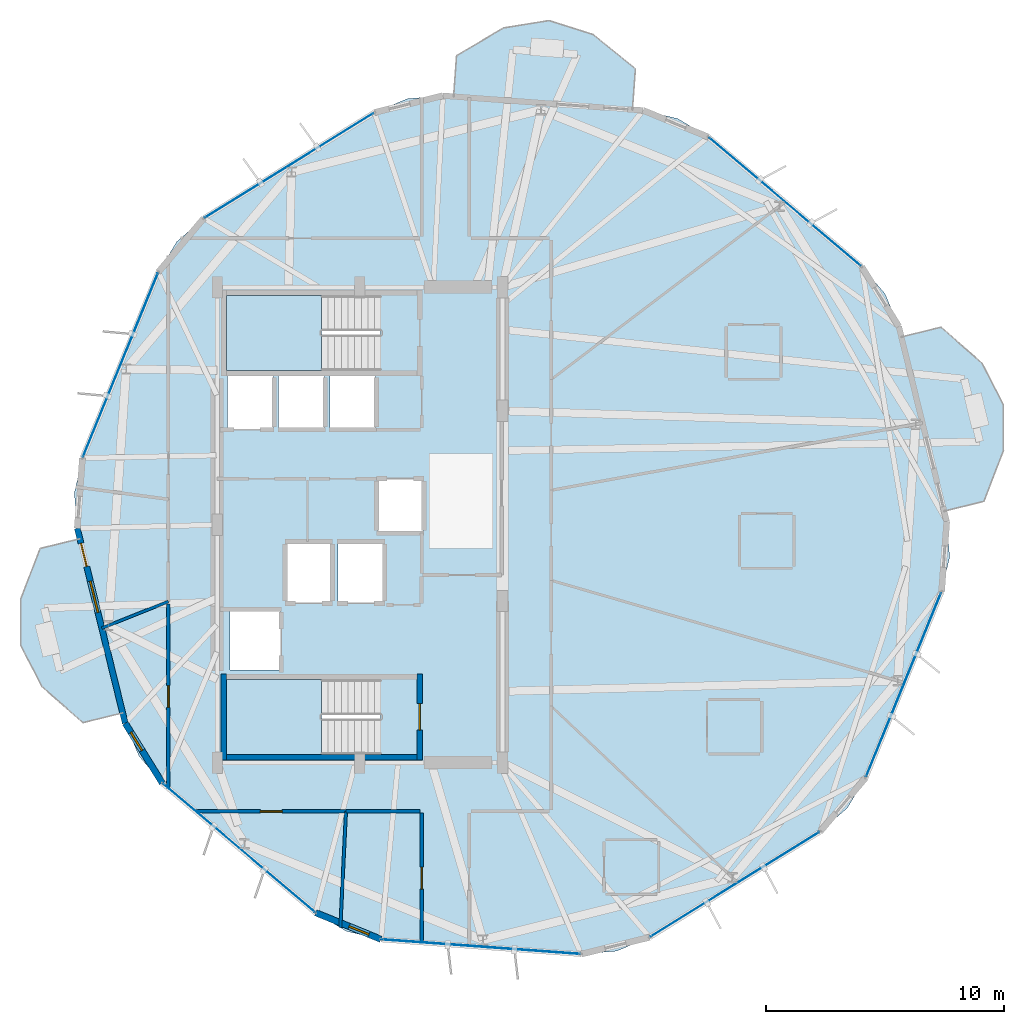
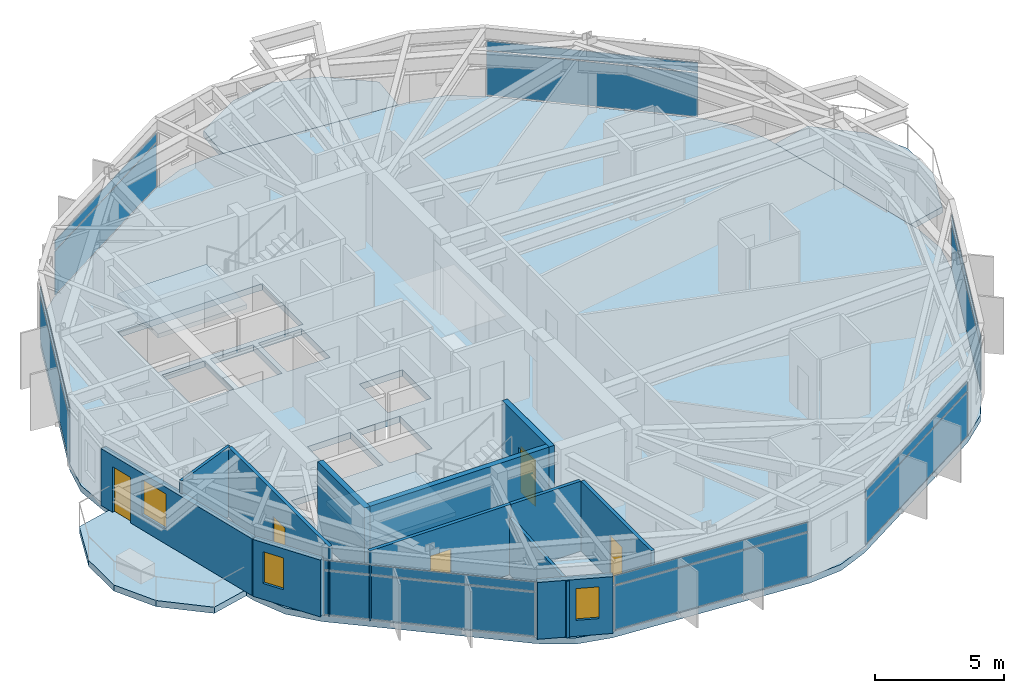
# One storey, part 14 of 21: 14 plates, 12 walls, 6 slabs, 5 doors, 3 windows, 8 openings, 9 elements without a shape of their own.
"""IFC4 building model written with IfcOpenShell, lengths in metres."""

from ifc_helpers import new_model, si_unit, direction, frame, frame_2d, origin, origin_2d, place, context, subcontext, project, spatial, polyline, rectangle, outline, extrude, material, layer, layer_set, type_object, element, fill, aggregate, save


model = new_model("IFC4")

# Units and contexts
model_context = context("Model", 3, precision=1e-05, world=origin(), true_north=direction((0.0, 1.0)))
body_context = subcontext(model_context, "Body", "Model", "MODEL_VIEW")
ifc_project = project(units=[si_unit("LENGTHUNIT", "METRE"), si_unit("AREAUNIT", "SQUARE_METRE"), si_unit("VOLUMEUNIT", "CUBIC_METRE"), si_unit("PLANEANGLEUNIT", "RADIAN"), si_unit("MASSUNIT", "GRAM", prefix="KILO")], contexts=[model_context])

# Site, building, storey
site_placement = place(None, origin())
site = spatial("IfcSite", under=ifc_project, at=site_placement, CompositionType="ELEMENT")
building_placement = place(site_placement, origin())
building = spatial("IfcBuilding", under=site, at=building_placement, Name="Soratama Intermodal Tower", CompositionType="ELEMENT")
storey_placement = place(building_placement, frame((0.0, 0.0, 153.39990234375)))
storey = spatial("IfcBuildingStorey", under=building, at=storey_placement, Name="L37", CompositionType="ELEMENT", Elevation=153.39990234375)

# Curtain wall, plates
ifc_material_1 = material(Name="Double-glazed aluminium curtain wall", Category="aluminium")
ifc_layer_1 = layer(ifc_material_1, 0.159912109375)
ifc_layer_set_1 = layer_set([ifc_layer_1], Name="Double-glazed aluminium curtain wall")
curtain_wall_type = type_object("IfcCurtainWallType", Name="CW-SYS-4", PredefinedType="NOTDEFINED", material=ifc_layer_set_1)
curtain_wall_1_placement = place(storey_placement, origin())
curtain_wall_1 = element("IfcCurtainWall", 1, at=curtain_wall_1_placement, inside=storey, type_object=curtain_wall_type, Name="L37 Faceted Curtain Wall F01", PredefinedType="NOTDEFINED")
ifc_material_2 = material(Name="Low-E laminated double glazing", Category="glass")
ifc_layer_2 = layer(ifc_material_2, 0.02392578125)
ifc_layer_set_2 = layer_set([ifc_layer_2], Name="Low-E laminated double glazing")
plate_type = type_object("IfcPlateType", Name="PT-CWP-4", PredefinedType="CURTAIN_PANEL", material=ifc_layer_set_2)
plate_1_placement = place(storey_placement, frame((56.481689453125, 38.586669921875, 0.06005859375), z_axis=(0.0, 0.0, 1.0), x_axis=(-0.763800023284, 0.645452960666, 0.0)))
plate_1 = element("IfcPlate", 2, at=plate_1_placement, type_object=plate_type, Name="CW-4 panel 1.1", PredefinedType="CURTAIN_PANEL", context=body_context, shape_type="SweptSolid", body=[
    extrude(rectangle(XDim=8.3203125, YDim=0.028076171875, at=origin_2d()), origin(), (0.0, 0.0, 1.0), 2.06005859375),
])
plate_2_placement = place(storey_placement, frame((56.481689453125, 38.586669921875, 2.18017578125), z_axis=(0.0, 0.0, 1.0), x_axis=(-0.763800023284, 0.645452960666, 0.0)))
plate_2 = element("IfcPlate", 3, at=plate_2_placement, type_object=plate_type, Name="CW-4 panel 1.2", PredefinedType="CURTAIN_PANEL", context=body_context, shape_type="SweptSolid", body=[
    extrude(rectangle(XDim=8.3203125, YDim=0.028076171875, at=origin_2d()), origin(), (0.0, 0.0, 1.0), 0.43896484375),
])
aggregate(curtain_wall_1, [plate_1, plate_2])

curtain_wall_2_placement = place(storey_placement, origin())
curtain_wall_2 = element("IfcCurtainWall", 4, at=curtain_wall_2_placement, inside=storey, type_object=curtain_wall_type, Name="L37 Faceted Curtain Wall F03", PredefinedType="NOTDEFINED")
plate_3_placement = place(storey_placement, frame((35.626220703125, 40.118408203125, 0.06005859375), z_axis=(0.0, 0.0, 1.0), x_axis=(-0.849890487833, -0.526959352028, 0.0)))
plate_3 = element("IfcPlate", 5, at=plate_3_placement, type_object=plate_type, Name="CW-4 panel 1.1", PredefinedType="CURTAIN_PANEL", context=body_context, shape_type="SweptSolid", body=[
    extrude(rectangle(XDim=8.320556640625, YDim=0.028076171875, at=origin_2d()), origin(), (0.0, 0.0, 1.0), 2.06005859375),
])
plate_4_placement = place(storey_placement, frame((35.626220703125, 40.118408203125, 2.18017578125), z_axis=(0.0, 0.0, 1.0), x_axis=(-0.849890487833, -0.526959352028, 0.0)))
plate_4 = element("IfcPlate", 6, at=plate_4_placement, type_object=plate_type, Name="CW-4 panel 1.2", PredefinedType="CURTAIN_PANEL", context=body_context, shape_type="SweptSolid", body=[
    extrude(rectangle(XDim=8.320556640625, YDim=0.028076171875, at=origin_2d()), origin(), (0.0, 0.0, 1.0), 0.43896484375),
])
aggregate(curtain_wall_2, [plate_3, plate_4])

curtain_wall_3_placement = place(storey_placement, origin())
curtain_wall_3 = element("IfcCurtainWall", 7, at=curtain_wall_3_placement, inside=storey, type_object=curtain_wall_type, Name="L37 Faceted Curtain Wall F04", PredefinedType="NOTDEFINED")
plate_5_placement = place(storey_placement, frame((28.530029296875, 31.72119140625, 0.06005859375), z_axis=(0.0, 0.0, 1.0), x_axis=(-0.377834611154, -0.925873105028, 0.0)))
plate_5 = element("IfcPlate", 8, at=plate_5_placement, type_object=plate_type, Name="CW-4 panel 1.1", PredefinedType="CURTAIN_PANEL", context=body_context, shape_type="SweptSolid", body=[
    extrude(rectangle(XDim=8.320556640625, YDim=0.028076171875, at=origin_2d()), origin(), (0.0, 0.0, 1.0), 2.06005859375),
])
plate_6_placement = place(storey_placement, frame((28.530029296875, 31.72119140625, 2.18017578125), z_axis=(0.0, 0.0, 1.0), x_axis=(-0.377834611154, -0.925873105028, 0.0)))
plate_6 = element("IfcPlate", 9, at=plate_6_placement, type_object=plate_type, Name="CW-4 panel 1.2", PredefinedType="CURTAIN_PANEL", context=body_context, shape_type="SweptSolid", body=[
    extrude(rectangle(XDim=8.320556640625, YDim=0.028076171875, at=origin_2d()), origin(), (0.0, 0.0, 1.0), 0.43896484375),
])
aggregate(curtain_wall_3, [plate_5, plate_6])

curtain_wall_4_placement = place(storey_placement, origin())
curtain_wall_4 = element("IfcCurtainWall", 10, at=curtain_wall_4_placement, inside=storey, type_object=curtain_wall_type, Name="L37 Faceted Curtain Wall F06", PredefinedType="NOTDEFINED")
plate_7_placement = place(storey_placement, frame((33.518310546875, 11.413330078125, 0.06005859375), z_axis=(0.0, 0.0, 1.0), x_axis=(0.763800023284, -0.645452960666, 0.0)))
plate_7 = element("IfcPlate", 11, at=plate_7_placement, type_object=plate_type, Name="CW-4 panel 1.1", PredefinedType="CURTAIN_PANEL", context=body_context, shape_type="SweptSolid", body=[
    extrude(rectangle(XDim=8.3203125, YDim=0.028076171875, at=origin_2d()), origin(), (0.0, 0.0, 1.0), 2.06005859375),
])
plate_8_placement = place(storey_placement, frame((33.518310546875, 11.413330078125, 2.18017578125), z_axis=(0.0, 0.0, 1.0), x_axis=(0.763800023284, -0.645452960666, 0.0)))
plate_8 = element("IfcPlate", 12, at=plate_8_placement, type_object=plate_type, Name="CW-4 panel 1.2", PredefinedType="CURTAIN_PANEL", context=body_context, shape_type="SweptSolid", body=[
    extrude(rectangle(XDim=8.3203125, YDim=0.028076171875, at=origin_2d()), origin(), (0.0, 0.0, 1.0), 0.43896484375),
])
aggregate(curtain_wall_4, [plate_7, plate_8])

curtain_wall_5_placement = place(storey_placement, origin())
curtain_wall_5 = element("IfcCurtainWall", 13, at=curtain_wall_5_placement, inside=storey, type_object=curtain_wall_type, Name="L37 Faceted Curtain Wall F07", PredefinedType="NOTDEFINED")
plate_9_placement = place(storey_placement, frame((43.697265625, 7.25927734375, 0.06005859375), z_axis=(0.0, 0.0, 1.0), x_axis=(0.997314170794, -0.073242369794, 0.0)))
plate_9 = element("IfcPlate", 14, at=plate_9_placement, type_object=plate_type, Name="CW-4 panel 1.1", PredefinedType="CURTAIN_PANEL", context=body_context, shape_type="SweptSolid", body=[
    extrude(rectangle(XDim=8.320556640625, YDim=0.028076171875, at=origin_2d()), origin(), (0.0, 0.0, 1.0), 2.06005859375),
])
plate_10_placement = place(storey_placement, frame((43.697265625, 7.25927734375, 2.18017578125), z_axis=(0.0, 0.0, 1.0), x_axis=(0.997314170794, -0.073242369794, 0.0)))
plate_10 = element("IfcPlate", 15, at=plate_10_placement, type_object=plate_type, Name="CW-4 panel 1.2", PredefinedType="CURTAIN_PANEL", context=body_context, shape_type="SweptSolid", body=[
    extrude(rectangle(XDim=8.320556640625, YDim=0.028076171875, at=origin_2d()), origin(), (0.0, 0.0, 1.0), 0.43896484375),
])
aggregate(curtain_wall_5, [plate_9, plate_10])

curtain_wall_6_placement = place(storey_placement, origin())
curtain_wall_6 = element("IfcCurtainWall", 16, at=curtain_wall_6_placement, inside=storey, type_object=curtain_wall_type, Name="L37 Faceted Curtain Wall F08", PredefinedType="NOTDEFINED")
plate_11_placement = place(storey_placement, frame((54.373779296875, 9.881591796875, 0.06005859375), z_axis=(0.0, 0.0, 1.0), x_axis=(0.849890487833, 0.526959352028, 0.0)))
plate_11 = element("IfcPlate", 17, at=plate_11_placement, type_object=plate_type, Name="CW-4 panel 1.1", PredefinedType="CURTAIN_PANEL", context=body_context, shape_type="SweptSolid", body=[
    extrude(rectangle(XDim=8.320556640625, YDim=0.028076171875, at=origin_2d()), origin(), (0.0, 0.0, 1.0), 2.06005859375),
])
plate_12_placement = place(storey_placement, frame((54.373779296875, 9.881591796875, 2.18017578125), z_axis=(0.0, 0.0, 1.0), x_axis=(0.849890487833, 0.526959352028, 0.0)))
plate_12 = element("IfcPlate", 18, at=plate_12_placement, type_object=plate_type, Name="CW-4 panel 1.2", PredefinedType="CURTAIN_PANEL", context=body_context, shape_type="SweptSolid", body=[
    extrude(rectangle(XDim=8.320556640625, YDim=0.028076171875, at=origin_2d()), origin(), (0.0, 0.0, 1.0), 0.43896484375),
])
aggregate(curtain_wall_6, [plate_11, plate_12])

curtain_wall_7_placement = place(storey_placement, origin())
curtain_wall_7 = element("IfcCurtainWall", 19, at=curtain_wall_7_placement, inside=storey, type_object=curtain_wall_type, Name="L37 Faceted Curtain Wall F09", PredefinedType="NOTDEFINED")
plate_13_placement = place(storey_placement, frame((61.469970703125, 18.27880859375, 0.06005859375), z_axis=(0.0, 0.0, 1.0), x_axis=(0.377834611154, 0.925873105028, 0.0)))
plate_13 = element("IfcPlate", 20, at=plate_13_placement, type_object=plate_type, Name="CW-4 panel 1.1", PredefinedType="CURTAIN_PANEL", context=body_context, shape_type="SweptSolid", body=[
    extrude(rectangle(XDim=8.320556640625, YDim=0.028076171875, at=origin_2d()), origin(), (0.0, 0.0, 1.0), 2.06005859375),
])
plate_14_placement = place(storey_placement, frame((61.469970703125, 18.27880859375, 2.18017578125), z_axis=(0.0, 0.0, 1.0), x_axis=(0.377834611154, 0.925873105028, 0.0)))
plate_14 = element("IfcPlate", 21, at=plate_14_placement, type_object=plate_type, Name="CW-4 panel 1.2", PredefinedType="CURTAIN_PANEL", context=body_context, shape_type="SweptSolid", body=[
    extrude(rectangle(XDim=8.320556640625, YDim=0.028076171875, at=origin_2d()), origin(), (0.0, 0.0, 1.0), 0.43896484375),
])
aggregate(curtain_wall_7, [plate_13, plate_14])

# Slabs
ifc_material_3 = material(Name="Concrete f'c 42 MPa", Category="concrete")
ifc_layer_3 = layer(ifc_material_3, 0.2900390625)
ifc_layer_set_3 = layer_set([ifc_layer_3], Name="Concrete f'c 42 MPa")
slab_type_1 = type_object("IfcSlabType", Name="SL-EXT-BAL2", PredefinedType="FLOOR", material=ifc_layer_set_3)
slab_1_placement = place(storey_placement, frame((0.0, 0.0, -0.289794921875)))
element("IfcSlab", 22, at=slab_1_placement, inside=storey, type_object=slab_type_1, Name="L37 Planted Balcony East 1", PredefinedType="FLOOR", context=body_context, shape_type="SweptSolid", body=[
    extrude(outline(polyline([(63.17431640625, 25.581787109375), (61.37548828125, 32.904541015625), (63.0458984375, 33.314697265625), (64.768798828125, 31.796875), (65.654541015625, 30.0732421875), (65.668212890625, 28.135498046875), (64.8447265625, 25.9921875), (63.17431640625, 25.581787109375)])), origin(), (0.0, 0.0, 1.0), 0.289794921875),
])
slab_2_placement = place(storey_placement, frame((0.0, 0.0, -0.289794921875)))
element("IfcSlab", 23, at=slab_2_placement, inside=storey, type_object=slab_type_1, Name="L37 Planted Balcony North 2", PredefinedType="FLOOR", context=body_context, shape_type="SweptSolid", body=[
    extrude(outline(polyline([(50.06298828125, 42.464599609375), (42.542724609375, 43.016845703125), (42.668701171875, 44.732177734375), (44.644775390625, 45.901611328125), (46.5576171875, 46.21142578125), (48.40478515625, 45.62548828125), (50.18896484375, 44.179931640625), (50.06298828125, 42.464599609375)])), origin(), (0.0, 0.0, 1.0), 0.289794921875),
])
slab_3_placement = place(storey_placement, frame((0.0, 0.0, -0.289794921875)))
element("IfcSlab", 24, at=slab_3_placement, inside=storey, type_object=slab_type_1, Name="L37 Planted Balcony West 3", PredefinedType="FLOOR", context=body_context, shape_type="SweptSolid", body=[
    extrude(outline(polyline([(26.82568359375, 24.418212890625), (28.62451171875, 17.095458984375), (26.9541015625, 16.685302734375), (25.231201171875, 18.203125), (24.345458984375, 19.9267578125), (24.331787109375, 21.864501953125), (25.1552734375, 24.0078125), (26.82568359375, 24.418212890625)])), origin(), (0.0, 0.0, 1.0), 0.289794921875),
])

# Stair, slab
ifc_material_4 = material(Name="Concrete f'c 42 MPa", Category="concrete")
stair_type = type_object("IfcStairType", Name="ST-CORE-DOGLEG", PredefinedType="HALF_TURN_STAIR", material=ifc_material_4)
stair_1_placement = place(storey_placement, origin())
stair_1 = element("IfcStair", 25, at=stair_1_placement, inside=storey, type_object=stair_type, Name="L37 ST-1", PredefinedType="HALF_TURN_STAIR")
ifc_material_5 = material(Name="Concrete f'c 42 MPa", Category="concrete")
ifc_layer_4 = layer(ifc_material_5, 0.219970703125)
ifc_layer_set_4 = layer_set([ifc_layer_4], Name="Concrete f'c 42 MPa")
slab_type_2 = type_object("IfcSlabType", Name="SL-STAIR-LAND", PredefinedType="LANDING", material=ifc_layer_set_4)
slab_4_placement = place(storey_placement, frame((0.0, 0.0, 1.60009765625)))
slab_4 = element("IfcSlab", 26, at=slab_4_placement, type_object=slab_type_2, Name="ST-1 landing 1", PredefinedType="LANDING", context=body_context, shape_type="SweptSolid", body=[
    extrude(outline(polyline([(36.97998046875, 18.5), (33.0, 18.5), (33.0, 15.35009765625), (36.97998046875, 15.35009765625), (36.97998046875, 18.5)])), origin(), (0.0, 0.0, 1.0), 0.199951171875),
])
aggregate(stair_1, [slab_4])

stair_2_placement = place(storey_placement, origin())
stair_2 = element("IfcStair", 27, at=stair_2_placement, inside=storey, type_object=stair_type, Name="L37 ST-2", PredefinedType="HALF_TURN_STAIR")
slab_5_placement = place(storey_placement, frame((0.0, 0.0, 1.60009765625)))
slab_5 = element("IfcSlab", 28, at=slab_5_placement, type_object=slab_type_2, Name="ST-2 landing 1", PredefinedType="LANDING", context=body_context, shape_type="SweptSolid", body=[
    extrude(outline(polyline([(36.97998046875, 34.64990234375), (33.0, 34.64990234375), (33.0, 31.5), (36.97998046875, 31.5), (36.97998046875, 34.64990234375)])), origin(), (0.0, 0.0, 1.0), 0.199951171875),
])
aggregate(stair_2, [slab_5])

# Slab
ifc_material_6 = material(Name="Concrete f'c 42 MPa", Category="concrete")
ifc_layer_5 = layer(ifc_material_6, 0.280029296875)
ifc_layer_set_5 = layer_set([ifc_layer_5], Name="Concrete f'c 42 MPa")
slab_type_3 = type_object("IfcSlabType", Name="SL-TWR-280", PredefinedType="FLOOR", material=ifc_layer_set_5)
slab_6_placement = place(storey_placement, frame((0.0, 0.0, -0.2998046875)))
element("IfcSlab", 29, at=slab_6_placement, inside=storey, type_object=slab_type_3, Name="L37 Structural Floor Slab", PredefinedType="FLOOR", context=body_context, shape_type="SweptSolid", body=[
    extrude(outline(polyline([(61.268310546875, 33.341552734375), (60.686279296875, 34.72607421875), (59.705078125, 35.86279296875), (53.25830078125, 41.310791015625), (51.973876953125, 42.088623046875), (50.51171875, 42.431640625), (42.093994140625, 43.0498046875), (40.597412109375, 42.924072265625), (39.212890625, 42.34228515625), (32.03955078125, 37.894287109375), (30.902587890625, 36.9130859375), (30.124755859375, 35.628662109375), (26.935546875, 27.813720703125), (26.5927734375, 26.351806640625), (26.71826171875, 24.855224609375), (28.731689453125, 16.658447265625), (29.313720703125, 15.27392578125), (30.294921875, 14.13720703125), (36.74169921875, 8.689208984375), (38.026123046875, 7.911376953125), (39.48828125, 7.568359375), (47.906005859375, 6.9501953125), (49.402587890625, 7.075927734375), (50.787109375, 7.65771484375), (57.96044921875, 12.105712890625), (59.097412109375, 13.0869140625), (59.875244140625, 14.371337890625), (63.064453125, 22.186279296875), (63.4072265625, 23.648193359375), (63.28173828125, 25.144775390625), (61.268310546875, 33.341552734375)]), holes=[polyline([(33.0, 18.5), (33.0, 15.35009765625), (39.47509765625, 15.35009765625), (39.47509765625, 18.5), (33.0, 18.5)]), polyline([(35.260009765625, 21.409912109375), (33.139892578125, 21.409912109375), (33.139892578125, 18.889892578125), (35.260009765625, 18.889892578125), (35.260009765625, 21.409912109375)]), polyline([(37.409912109375, 24.260009765625), (35.489990234375, 24.260009765625), (35.489990234375, 21.739990234375), (37.409912109375, 21.739990234375), (37.409912109375, 24.260009765625)]), polyline([(39.610107421875, 24.260009765625), (37.68994140625, 24.260009765625), (37.68994140625, 21.739990234375), (39.610107421875, 21.739990234375), (39.610107421875, 24.260009765625)]), polyline([(41.260009765625, 26.909912109375), (39.340087890625, 26.909912109375), (39.340087890625, 24.68994140625), (41.260009765625, 24.68994140625), (41.260009765625, 26.909912109375)]), polyline([(34.9599609375, 31.260009765625), (33.0400390625, 31.260009765625), (33.0400390625, 29.0400390625), (34.9599609375, 29.0400390625), (34.9599609375, 31.260009765625)]), polyline([(37.110107421875, 31.260009765625), (35.18994140625, 31.260009765625), (35.18994140625, 29.0400390625), (37.110107421875, 29.0400390625), (37.110107421875, 31.260009765625)]), polyline([(39.260009765625, 29.0400390625), (39.260009765625, 31.260009765625), (37.340087890625, 31.260009765625), (37.340087890625, 29.0400390625), (39.260009765625, 29.0400390625)]), polyline([(39.47509765625, 34.64990234375), (33.0, 34.64990234375), (33.0, 31.5), (39.47509765625, 31.5), (39.47509765625, 34.64990234375)])]), origin(), (0.0, 0.0, 1.0), 0.2998046875),
])

# Wall, openings, door, window
ifc_material_7 = material(Name="Concrete f'c 42 MPa", Category="concrete")
ifc_layer_6 = layer(ifc_material_7, 0.25)
ifc_layer_set_6 = layer_set([ifc_layer_6], Name="Concrete f'c 42 MPa")
wall_type_1 = type_object("IfcWallType", Name="EW-BAL-250", PredefinedType="SOLIDWALL", material=ifc_layer_set_6)
wall_1_placement = place(storey_placement, frame((26.71826171875, 24.855224609375, 0.0), z_axis=(0.0, 0.0, 1.0), x_axis=(0.238545314463, -0.971131367503, 0.0)))
wall_1 = element("IfcWall", 30, at=wall_1_placement, inside=storey, type_object=wall_type_1, Name="L37 Terrace Wall F05", PredefinedType="SOLIDWALL", context=body_context, shape_type="SweptSolid", body=[
    extrude(rectangle(XDim=8.4404296875, YDim=0.25, at=frame_2d((4.22021484375, 0.0))), origin(), (0.0, 0.0, 1.0), 2.67919921875),
])
opening_1_placement = place(wall_1_placement, frame((0.64990234375, 0.0, 0.0)))
opening_1 = element("IfcOpeningElement", 31, at=opening_1_placement, cuts=wall_1, Name="Opening ED-2", PredefinedType="OPENING", context=body_context, shape_type="SweptSolid", body=[
    extrude(rectangle(XDim=1.0, YDim=2.14990234375, at=frame_2d((0.5, 1.074951171875))), frame((0.0, 0.135009765625, 0.0), z_axis=(0.0, -1.0, 0.0), x_axis=(1.0, 0.0, 0.0)), (0.0, 0.0, 1.0), 0.27001953125),
])
opening_2_placement = place(wall_1_placement, frame((2.2900390625, 0.0, 0.719970703125)))
opening_2 = element("IfcOpeningElement", 32, at=opening_2_placement, cuts=wall_1, Name="Opening WN-4", PredefinedType="OPENING", context=body_context, shape_type="SweptSolid", body=[
    extrude(rectangle(XDim=1.35009765625, YDim=1.64990234375, at=frame_2d((0.675048828125, 0.824951171875))), frame((0.0, 0.135009765625, 0.0), z_axis=(0.0, -1.0, 0.0), x_axis=(1.0, 0.0, 0.0)), (0.0, 0.0, 1.0), 0.27001953125),
])
ifc_material_8 = material(Name="Double-glazed aluminium door", Category="aluminium")
door_type_1 = type_object("IfcDoorType", Name="DR-BAL-1000", OperationType="NOTDEFINED", PredefinedType="DOOR", material=ifc_material_8)
door_1_placement = place(opening_1_placement, origin())
door_1 = element("IfcDoor", 33, at=door_1_placement, inside=storey, type_object=door_type_1, Name="L37 Balcony Door F05", OperationType="SINGLE_SWING_LEFT", OverallHeight=2.14990234375, OverallWidth=1.0, PredefinedType="DOOR", context=body_context, shape_type="SweptSolid", body=[
    extrude(rectangle(XDim=1.0, YDim=2.14990234375, at=frame_2d((0.5, 1.074951171875))), frame((0.0, 0.02490234375, 0.0), z_axis=(0.0, -1.0, 0.0), x_axis=(1.0, 0.0, 0.0)), (0.0, 0.0, 1.0), 0.050048828125),
])
fill(opening_1, door_1)
ifc_material_9 = material(Name="Double-glazed aluminium window", Category="aluminium")
window_type_1 = type_object("IfcWindowType", Name="WN-FAC-1350", PartitioningType="SINGLE_PANEL", PredefinedType="WINDOW", material=ifc_material_9)
window_1_placement = place(opening_2_placement, origin())
window_1 = element("IfcWindow", 34, at=window_1_placement, inside=storey, type_object=window_type_1, Name="L37 Window B F05", OverallHeight=1.64990234375, OverallWidth=1.35009765625, PartitioningType="SINGLE_PANEL", PredefinedType="WINDOW", context=body_context, shape_type="SweptSolid", body=[
    extrude(rectangle(XDim=1.35009765625, YDim=1.64990234375, at=frame_2d((0.675048828125, 0.824951171875))), frame((0.0, 0.030029296875, 0.0), z_axis=(0.0, -1.0, 0.0), x_axis=(1.0, 0.0, 0.0)), (0.0, 0.0, 1.0), 0.06005859375),
])
fill(opening_2, window_1)

# Wall, opening, window
ifc_material_10 = material(Name="Concrete f'c 42 MPa", Category="concrete")
ifc_layer_7 = layer(ifc_material_10, 0.27001953125)
ifc_layer_set_7 = layer_set([ifc_layer_7], Name="Concrete f'c 42 MPa")
wall_type_2 = type_object("IfcWallType", Name="EW-CRN-270", PredefinedType="SOLIDWALL", material=ifc_layer_set_7)
wall_2_placement = place(storey_placement, frame((28.731689453125, 16.658447265625, 0.0), z_axis=(0.0, 0.0, 1.0), x_axis=(0.526955124945, -0.849893108746, 0.0)))
wall_2 = element("IfcWall", 35, at=wall_2_placement, inside=storey, type_object=wall_type_2, Name="L37 Corner Closure Wall 05", PredefinedType="SOLIDWALL", context=body_context, shape_type="SweptSolid", body=[
    extrude(rectangle(XDim=2.966552734375, YDim=0.27001953125, at=frame_2d((1.4833984375, 0.0))), origin(), (0.0, 0.0, 1.0), 2.67919921875),
])
opening_3_placement = place(wall_2_placement, frame((0.449951171875, 0.0, 0.75)))
opening_3 = element("IfcOpeningElement", 36, at=opening_3_placement, cuts=wall_2, Name="Opening WN-6", PredefinedType="OPENING", context=body_context, shape_type="SweptSolid", body=[
    extrude(rectangle(XDim=0.89990234375, YDim=1.5, at=frame_2d((0.449951171875, 0.75))), frame((0.0, 0.14501953125, 0.0), z_axis=(0.0, -1.0, 0.0), x_axis=(1.0, 0.0, 0.0)), (0.0, 0.0, 1.0), 0.2900390625),
])
ifc_material_11 = material(Name="Double-glazed aluminium window", Category="aluminium")
window_type_2 = type_object("IfcWindowType", Name="WN-FAC-900", PartitioningType="SINGLE_PANEL", PredefinedType="WINDOW", material=ifc_material_11)
window_2_placement = place(opening_3_placement, origin())
window_2 = element("IfcWindow", 37, at=window_2_placement, inside=storey, type_object=window_type_2, Name="L37 Corner Window 05", OverallHeight=1.5, OverallWidth=0.89990234375, PartitioningType="SINGLE_PANEL", PredefinedType="WINDOW", context=body_context, shape_type="SweptSolid", body=[
    extrude(rectangle(XDim=0.89990234375, YDim=1.5, at=frame_2d((0.449951171875, 0.75))), frame((0.0, 0.030029296875, 0.0), z_axis=(0.0, -1.0, 0.0), x_axis=(1.0, 0.0, 0.0)), (0.0, 0.0, 1.0), 0.06005859375),
])
fill(opening_3, window_2)

wall_3_placement = place(storey_placement, frame((36.74169921875, 8.689208984375, 0.0), z_axis=(0.0, 0.0, 1.0), x_axis=(0.925871735267, -0.377837967699, 0.0)))
wall_3 = element("IfcWall", 38, at=wall_3_placement, inside=storey, type_object=wall_type_2, Name="L37 Corner Closure Wall 06", PredefinedType="SOLIDWALL", context=body_context, shape_type="SweptSolid", body=[
    extrude(rectangle(XDim=2.966552734375, YDim=0.27001953125, at=frame_2d((1.4833984375, 0.0))), origin(), (0.0, 0.0, 1.0), 2.67919921875),
])
opening_4_placement = place(wall_3_placement, frame((1.519287109375, 0.0, 0.75)))
opening_4 = element("IfcOpeningElement", 39, at=opening_4_placement, cuts=wall_3, Name="Opening WN-6", PredefinedType="OPENING", context=body_context, shape_type="SweptSolid", body=[
    extrude(rectangle(XDim=0.89990234375, YDim=1.5, at=frame_2d((0.449951171875, 0.75))), frame((0.0, 0.14501953125, 0.0), z_axis=(0.0, -1.0, 0.0), x_axis=(1.0, 0.0, 0.0)), (0.0, 0.0, 1.0), 0.2900390625),
])
window_3_placement = place(opening_4_placement, origin())
window_3 = element("IfcWindow", 40, at=window_3_placement, inside=storey, type_object=window_type_2, Name="L37 Corner Window 06", OverallHeight=1.5, OverallWidth=0.89990234375, PartitioningType="SINGLE_PANEL", PredefinedType="WINDOW", context=body_context, shape_type="SweptSolid", body=[
    extrude(rectangle(XDim=0.89990234375, YDim=1.5, at=frame_2d((0.449951171875, 0.75))), frame((0.0, 0.030029296875, 0.0), z_axis=(0.0, -1.0, 0.0), x_axis=(1.0, 0.0, 0.0)), (0.0, 0.0, 1.0), 0.06005859375),
])
fill(opening_4, window_3)

# Wall, opening, door
ifc_material_12 = material(Name="Fire-rated gypsum stud partition", Category="concrete")
ifc_layer_8 = layer(ifc_material_12, 0.14990234375)
ifc_layer_set_8 = layer_set([ifc_layer_8], Name="Fire-rated gypsum stud partition")
wall_type_3 = type_object("IfcWallType", Name="IW-PART-R150", PredefinedType="PARTITIONING", material=ifc_layer_set_8)
wall_4_placement = place(storey_placement, frame((30.550048828125, 13.922119140625, 0.0), z_axis=(0.0, 0.0, 1.0), x_axis=(0.0, 1.0, 0.0)))
wall_4 = element("IfcWall", 41, at=wall_4_placement, inside=storey, type_object=wall_type_3, Name="L37 Partition W-L37-TP007", PredefinedType="PARTITIONING", context=body_context, shape_type="SweptSolid", body=[
    extrude(rectangle(XDim=7.7529296875, YDim=0.14990234375, at=frame_2d((3.87646484375, 0.0))), origin(), (0.0, 0.0, 1.0), 3.300048828125),
])
opening_5_placement = place(wall_4_placement, frame((3.40087890625, 0.0, 0.0)))
opening_5 = element("IfcOpeningElement", 42, at=opening_5_placement, cuts=wall_4, Name="Opening ID-6", PredefinedType="OPENING", context=body_context, shape_type="SweptSolid", body=[
    extrude(rectangle(XDim=0.919921875, YDim=2.1201171875, at=frame_2d((0.4599609375, 1.06005859375))), frame((0.0, 0.0849609375, 0.0), z_axis=(0.0, -1.0, 0.0), x_axis=(1.0, 0.0, 0.0)), (0.0, 0.0, 1.0), 0.169921875),
])
ifc_material_13 = material(Name="Solid hardwood acoustic door", Category="wood")
door_type_2 = type_object("IfcDoorType", Name="DR-ROOM-920", OperationType="NOTDEFINED", PredefinedType="DOOR", material=ifc_material_13)
door_2_placement = place(opening_5_placement, origin())
door_2 = element("IfcDoor", 43, at=door_2_placement, inside=storey, type_object=door_type_2, Name="L37 Door D-L37-TP003", OperationType="SINGLE_SWING_RIGHT", OverallHeight=2.1201171875, OverallWidth=0.919921875, PredefinedType="DOOR", context=body_context, shape_type="SweptSolid", body=[
    extrude(rectangle(XDim=0.919921875, YDim=2.1201171875, at=frame_2d((0.4599609375, 1.06005859375))), frame((0.0, 0.02490234375, 0.0), z_axis=(0.0, -1.0, 0.0), x_axis=(1.0, 0.0, 0.0)), (0.0, 0.0, 1.0), 0.050048828125),
])
fill(opening_5, door_2)

wall_5_placement = place(storey_placement, frame((38.01708984375, 12.949951171875, 0.0), z_axis=(0.0, 0.0, 1.0), x_axis=(-1.0, 0.0, 0.0)))
wall_5 = element("IfcWall", 44, at=wall_5_placement, inside=storey, type_object=wall_type_3, Name="L37 Partition W-L37-TP009", PredefinedType="PARTITIONING", context=body_context, shape_type="SweptSolid", body=[
    extrude(rectangle(XDim=6.317138671875, YDim=0.14990234375, at=frame_2d((3.15869140625, 0.0))), origin(), (0.0, 0.0, 1.0), 3.300048828125),
])
opening_6_placement = place(wall_5_placement, frame((2.68408203125, 0.0, 0.0)))
opening_6 = element("IfcOpeningElement", 45, at=opening_6_placement, cuts=wall_5, Name="Opening ID-6", PredefinedType="OPENING", context=body_context, shape_type="SweptSolid", body=[
    extrude(rectangle(XDim=0.919921875, YDim=2.1201171875, at=frame_2d((0.4599609375, 1.06005859375))), frame((0.0, 0.0849609375, 0.0), z_axis=(0.0, -1.0, 0.0), x_axis=(1.0, 0.0, 0.0)), (0.0, 0.0, 1.0), 0.169921875),
])
door_3_placement = place(opening_6_placement, origin())
door_3 = element("IfcDoor", 46, at=door_3_placement, inside=storey, type_object=door_type_2, Name="L37 Door D-L37-TP005", OperationType="SINGLE_SWING_RIGHT", OverallHeight=2.1201171875, OverallWidth=0.919921875, PredefinedType="DOOR", context=body_context, shape_type="SweptSolid", body=[
    extrude(rectangle(XDim=0.919921875, YDim=2.1201171875, at=frame_2d((0.4599609375, 1.06005859375))), frame((0.0, 0.02490234375, 0.0), z_axis=(0.0, -1.0, 0.0), x_axis=(1.0, 0.0, 0.0)), (0.0, 0.0, 1.0), 0.050048828125),
])
fill(opening_6, door_3)

wall_6_placement = place(storey_placement, frame((41.199951171875, 7.443115234375, 0.0), z_axis=(0.0, 0.0, 1.0), x_axis=(0.0, 1.0, 0.0)))
wall_6 = element("IfcWall", 47, at=wall_6_placement, inside=storey, type_object=wall_type_3, Name="L37 Partition W-L37-TP014", PredefinedType="PARTITIONING", context=body_context, shape_type="SweptSolid", body=[
    extrude(rectangle(XDim=5.436767578125, YDim=0.14990234375, at=frame_2d((2.71826171875, 0.0))), origin(), (0.0, 0.0, 1.0), 3.300048828125),
])
opening_7_placement = place(wall_6_placement, frame((2.243896484375, 0.0, 0.0)))
opening_7 = element("IfcOpeningElement", 48, at=opening_7_placement, cuts=wall_6, Name="Opening ID-6", PredefinedType="OPENING", context=body_context, shape_type="SweptSolid", body=[
    extrude(rectangle(XDim=0.919921875, YDim=2.1201171875, at=frame_2d((0.4599609375, 1.06005859375))), frame((0.0, 0.0849609375, 0.0), z_axis=(0.0, -1.0, 0.0), x_axis=(1.0, 0.0, 0.0)), (0.0, 0.0, 1.0), 0.169921875),
])
door_4_placement = place(opening_7_placement, origin())
door_4 = element("IfcDoor", 49, at=door_4_placement, inside=storey, type_object=door_type_2, Name="L37 Door D-L37-TP008", OperationType="SINGLE_SWING_LEFT", OverallHeight=2.1201171875, OverallWidth=0.919921875, PredefinedType="DOOR", context=body_context, shape_type="SweptSolid", body=[
    extrude(rectangle(XDim=0.919921875, YDim=2.1201171875, at=frame_2d((0.4599609375, 1.06005859375))), frame((0.0, 0.02490234375, 0.0), z_axis=(0.0, -1.0, 0.0), x_axis=(1.0, 0.0, 0.0)), (0.0, 0.0, 1.0), 0.050048828125),
])
fill(opening_7, door_4)

# Walls
wall_7_placement = place(storey_placement, frame((41.1298828125, 12.949951171875, 0.0), z_axis=(0.0, 0.0, 1.0), x_axis=(-1.0, 0.0, 0.0)))
element("IfcWall", 50, at=wall_7_placement, inside=storey, type_object=wall_type_3, Name="L37 Partition W-L37-TP026", PredefinedType="PARTITIONING", context=body_context, shape_type="SweptSolid", body=[
    extrude(rectangle(XDim=3.11279296875, YDim=0.14990234375, at=frame_2d((1.556396484375, 0.0))), origin(), (0.0, 0.0, 1.0), 3.300048828125),
])
ifc_material_14 = material(Name="Fire-rated gypsum stud partition", Category="concrete")
ifc_layer_9 = layer(ifc_material_14, 0.1201171875)
ifc_layer_set_9 = layer_set([ifc_layer_9], Name="Fire-rated gypsum stud partition")
wall_type_4 = type_object("IfcWallType", Name="IW-PART-S120", PredefinedType="PARTITIONING", material=ifc_layer_set_9)
wall_8_placement = place(storey_placement, frame((30.550048828125, 21.778076171875, 0.0), z_axis=(0.0, 0.0, 1.0), x_axis=(-0.928621753336, -0.371027814634, 0.0)))
element("IfcWall", 51, at=wall_8_placement, inside=storey, type_object=wall_type_4, Name="L37 Partition W-L37-TP027", PredefinedType="PARTITIONING", context=body_context, shape_type="SweptSolid", body=[
    extrude(rectangle(XDim=3.016357421875, YDim=0.1201171875, at=frame_2d((1.50830078125, 0.0))), origin(), (0.0, 0.0, 1.0), 3.300048828125),
])
ifc_material_15 = material(Name="Fire-rated gypsum stud partition", Category="concrete")
ifc_layer_10 = layer(ifc_material_15, 0.1298828125)
ifc_layer_set_10 = layer_set([ifc_layer_10], Name="Fire-rated gypsum stud partition")
wall_type_5 = type_object("IfcWallType", Name="IW-PART-S130", PredefinedType="PARTITIONING", material=ifc_layer_set_10)
wall_9_placement = place(storey_placement, frame((38.01708984375, 12.949951171875, 0.0), z_axis=(0.0, 0.0, 1.0), x_axis=(-0.048422834173, -0.998826926515, 0.0)))
element("IfcWall", 52, at=wall_9_placement, inside=storey, type_object=wall_type_5, Name="L37 Partition W-L37-TP016", PredefinedType="PARTITIONING", context=body_context, shape_type="SweptSolid", body=[
    extrude(rectangle(XDim=4.895751953125, YDim=0.1298828125, at=frame_2d((2.44775390625, 0.0))), origin(), (0.0, 0.0, 1.0), 2.677978515625),
])
ifc_material_16 = material(Name="Concrete f'c 56 MPa", Category="concrete")
ifc_layer_11 = layer(ifc_material_16, 0.239990234375)
ifc_layer_set_11 = layer_set([ifc_layer_11], Name="Concrete f'c 56 MPa")
wall_type_6 = type_object("IfcWallType", Name="SW-STAIR-240", PredefinedType="SHEAR", material=ifc_layer_set_11)
wall_10_placement = place(storey_placement, frame((32.8798828125, 15.110107421875, 0.0), z_axis=(0.0, 0.0, 1.0), x_axis=(0.0, 1.0, 0.0)))
element("IfcWall", 53, at=wall_10_placement, inside=storey, type_object=wall_type_6, Name="L37 ST-1 Shaft Shear Wall W", PredefinedType="SHEAR", context=body_context, shape_type="SweptSolid", body=[
    extrude(rectangle(XDim=3.6298828125, YDim=0.239990234375, at=frame_2d((1.81494140625, 0.0))), origin(), (0.0, 0.0, 1.0), 3.60009765625),
])

# Wall, opening, door
wall_11_placement = place(storey_placement, frame((41.1201171875, 15.110107421875, 0.0), z_axis=(0.0, 0.0, 1.0), x_axis=(0.0, 1.0, 0.0)))
wall_11 = element("IfcWall", 54, at=wall_11_placement, inside=storey, type_object=wall_type_6, Name="L37 ST-1 Shaft Shear Wall E", PredefinedType="SHEAR", context=body_context, shape_type="SweptSolid", body=[
    extrude(rectangle(XDim=3.6298828125, YDim=0.239990234375, at=frame_2d((1.81494140625, 0.0))), origin(), (0.0, 0.0, 1.0), 3.60009765625),
])
opening_8_placement = place(wall_11_placement, frame((1.2548828125, 0.0, 0.0)))
opening_8 = element("IfcOpeningElement", 55, at=opening_8_placement, cuts=wall_11, Name="Opening SD-1", PredefinedType="OPENING", context=body_context, shape_type="SweptSolid", body=[
    extrude(rectangle(XDim=1.1201171875, YDim=2.14990234375, at=frame_2d((0.56005859375, 1.074951171875))), frame((0.0, 0.1298828125, 0.0), z_axis=(0.0, -1.0, 0.0), x_axis=(1.0, 0.0, 0.0)), (0.0, 0.0, 1.0), 0.260009765625),
])
ifc_material_17 = material(Name="Steel fire door", Category="steel")
door_type_3 = type_object("IfcDoorType", Name="DR-STAIR-FD90", OperationType="NOTDEFINED", PredefinedType="DOOR", material=ifc_material_17)
door_5_placement = place(opening_8_placement, origin())
door_5 = element("IfcDoor", 56, at=door_5_placement, inside=storey, type_object=door_type_3, Name="L37 ST-1 Exit Stair Door", OperationType="SINGLE_SWING_LEFT", OverallHeight=2.14990234375, OverallWidth=1.1201171875, PredefinedType="DOOR", context=body_context, shape_type="SweptSolid", body=[
    extrude(rectangle(XDim=1.1201171875, YDim=2.14990234375, at=frame_2d((0.56005859375, 1.074951171875))), frame((0.0, 0.02490234375, 0.0), z_axis=(0.0, -1.0, 0.0), x_axis=(1.0, 0.0, 0.0)), (0.0, 0.0, 1.0), 0.050048828125),
])
fill(opening_8, door_5)

# Wall
wall_12_placement = place(storey_placement, frame((33.0, 15.22998046875, 0.0), z_axis=(0.0, 0.0, 1.0), x_axis=(1.0, 0.0, 0.0)))
element("IfcWall", 57, at=wall_12_placement, inside=storey, type_object=wall_type_6, Name="L37 ST-1 Shaft Shear Wall S", PredefinedType="SHEAR", context=body_context, shape_type="SweptSolid", body=[
    extrude(rectangle(XDim=8.0, YDim=0.239990234375, at=frame_2d((4.0, 0.0))), origin(), (0.0, 0.0, 1.0), 3.60009765625),
])

save(model, "model.ifc")
